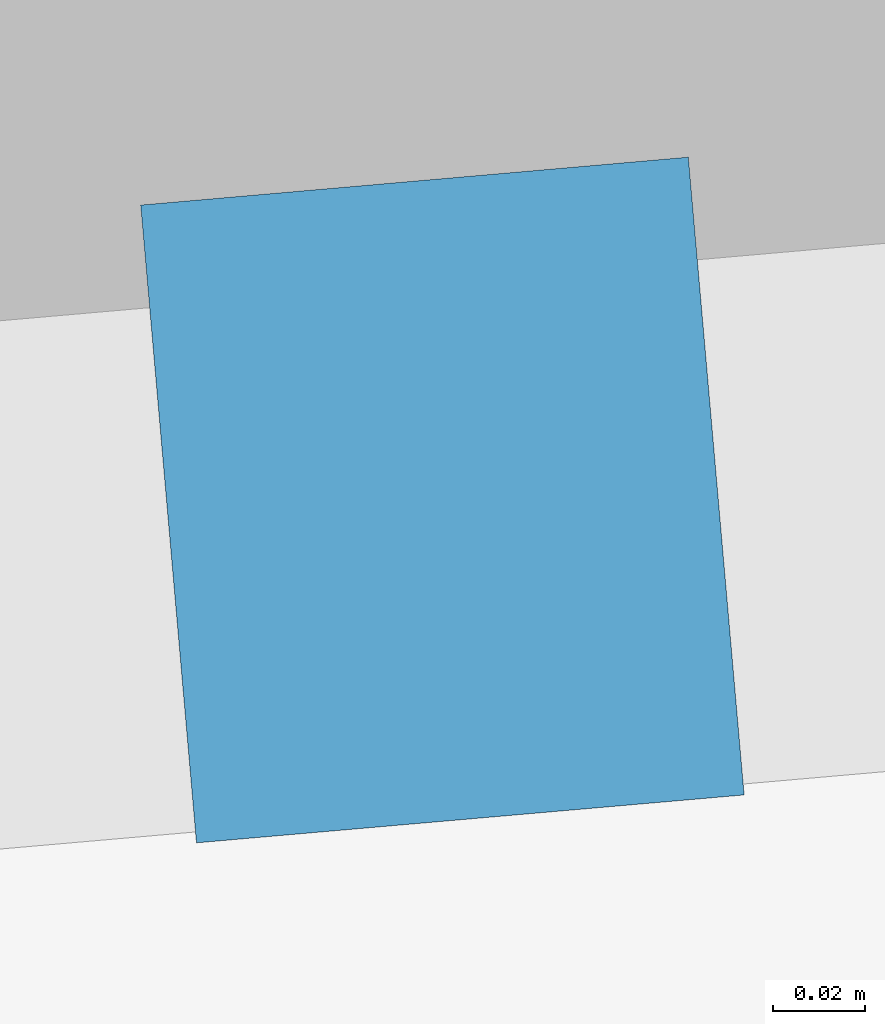
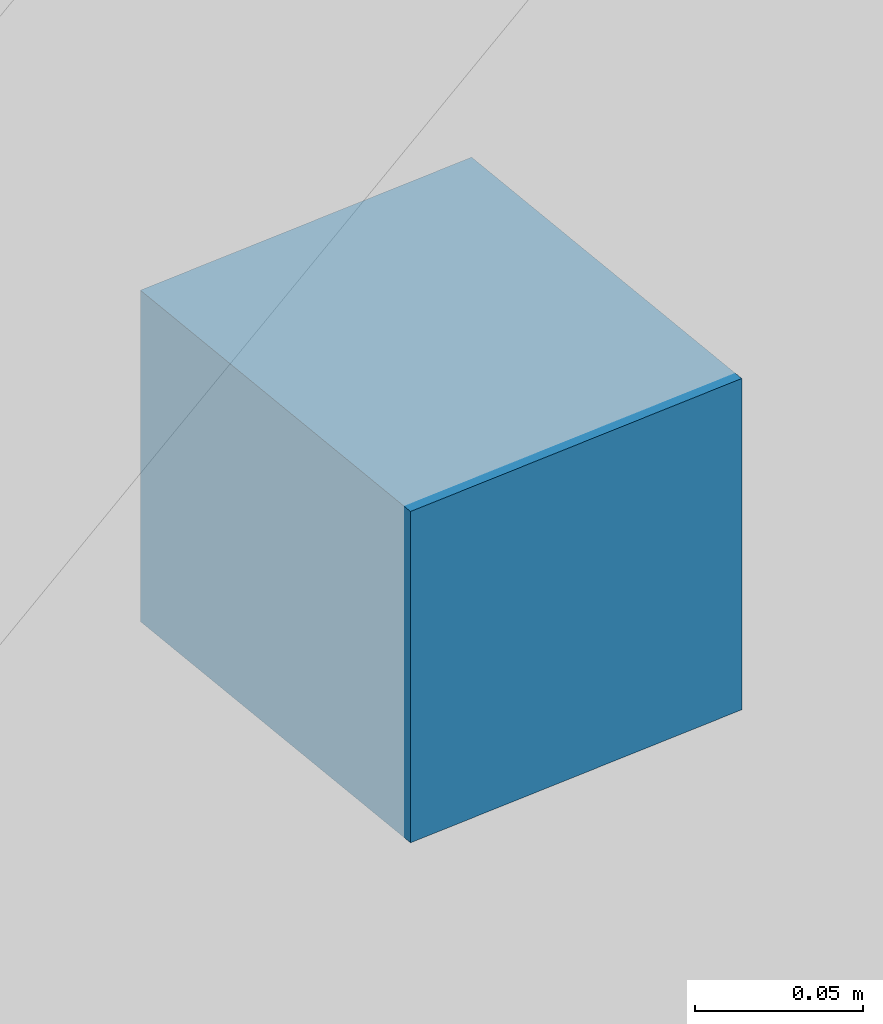
# One storey, part 28 of 37: 1 discrete accessory.
"""IFC4 building model written with IfcOpenShell, lengths in metres."""

import ifcopenshell
import ifcopenshell.guid

model = None  # the IFC model being written
_history = None  # IfcOwnerHistory: only IFC2X3 demands one
_inside = {}  # id of a spatial element -> (the spatial element, [elements in it])
_under = {}  # id of a project, library or spatial element -> (it, [spatial elements below it])
_declared = {}  # id of a project -> (the project, [libraries it declares])
_typed = {}  # id of a type object -> (the type object, [elements of that type])
_made_of = {}  # id of a material, layer set ... -> (it, [elements and type objects made of it])


def new_model(schema):
    """Start an empty IFC model of exactly this schema.

    Asked for "IFC4X3", IfcOpenShell would pick the latest addendum, in which some entities
    have other attributes; the version numbers below select the first issue.
    IFC2X3 requires an IfcOwnerHistory on every rooted entity: one is made here for all.
    """
    global model, _history
    if schema == "IFC4X3":
        model = ifcopenshell.file(schema_version=(4, 3, 0, 0))
    else:
        model = ifcopenshell.file(schema=schema)
    _inside.clear()
    _under.clear()
    _declared.clear()
    _typed.clear()
    _made_of.clear()
    _history = None
    if model.schema == "IFC2X3":
        org = make("IfcOrganization", Name="unknown")
        user = make(
            "IfcPersonAndOrganization",
            ThePerson=make("IfcPerson", FamilyName="unknown"),
            TheOrganization=org,
        )
        app = make(
            "IfcApplication",
            ApplicationDeveloper=org,
            Version="unknown",
            ApplicationFullName="unknown",
            ApplicationIdentifier="unknown",
        )
        _history = make(
            "IfcOwnerHistory",
            OwningUser=user,
            OwningApplication=app,
            ChangeAction="ADDED",
            CreationDate=0,
        )
    return model


def make(cls, **values):
    """One entity of the class cls with the attributes given. An attribute that is None is left unset."""
    return model.create_entity(
        cls, **{name: value for name, value in values.items() if value is not None}
    )


def rooted(cls, **values):
    """An entity with a GlobalId (a new one), such as an element, a storey or a relation."""
    return make(cls, GlobalId=ifcopenshell.guid.new(), OwnerHistory=_history, **values)


def si_unit(unit_type, name, prefix=None):
    """IfcSIUnit, for example si_unit("LENGTHUNIT", "METRE", prefix="MILLI")."""
    return make("IfcSIUnit", UnitType=unit_type, Prefix=prefix, Name=name)


def assignment(units):
    """IfcUnitAssignment: the units of a project."""
    return None if units is None else make("IfcUnitAssignment", Units=units)


def point(xyz):
    """IfcCartesianPoint."""
    return None if xyz is None else make("IfcCartesianPoint", Coordinates=xyz)


def direction(xyz):
    """IfcDirection."""
    return None if xyz is None else make("IfcDirection", DirectionRatios=xyz)


def frame(location, z_axis=None, x_axis=None):
    """IfcAxis2Placement3D, a coordinate frame: its origin and axes. An axis left out is left unset."""
    return make(
        "IfcAxis2Placement3D",
        Location=point(location),
        Axis=direction(z_axis),
        RefDirection=direction(x_axis),
    )


def frame_2d(location, x_axis=None):
    """IfcAxis2Placement2D, a coordinate frame in the plane: its origin and x axis."""
    return make(
        "IfcAxis2Placement2D", Location=point(location), RefDirection=direction(x_axis)
    )


def origin():
    """The frame at (0, 0, 0) with its axes left unset."""
    return frame((0.0, 0.0, 0.0))


def origin_2d():
    """The frame at (0, 0) in the plane with its x axis left unset."""
    return frame_2d((0.0, 0.0))


def place(relative_to, where):
    """IfcLocalPlacement: puts the frame where relative to a parent placement (None: the world)."""
    return make(
        "IfcLocalPlacement", PlacementRelTo=relative_to, RelativePlacement=where
    )


def context(
    kind, dimensions, precision=None, world=None, true_north=None, identifier=None
):
    """IfcGeometricRepresentationContext, for example the 3D "Model" context."""
    return make(
        "IfcGeometricRepresentationContext",
        ContextIdentifier=identifier,
        ContextType=kind,
        CoordinateSpaceDimension=dimensions,
        Precision=precision,
        WorldCoordinateSystem=world,
        TrueNorth=true_north,
    )


def subcontext(parent, identifier, kind, view, scale=None):
    """IfcGeometricRepresentationSubContext, for example "Body" below "Model"."""
    return make(
        "IfcGeometricRepresentationSubContext",
        ContextIdentifier=identifier,
        ContextType=kind,
        ParentContext=parent,
        TargetScale=scale,
        TargetView=view,
    )


def project(units=None, contexts=None):
    """IfcProject with its units and contexts."""
    return rooted(
        "IfcProject",
        Name="project",
        RepresentationContexts=contexts,
        UnitsInContext=assignment(units),
    )


def spatial(cls, under=None, at=None, **own):
    """A site, building, storey or space (cls), placed at a placement, below another one or the project."""
    s = rooted(cls, ObjectPlacement=at, **own)
    if under is not None:
        _under.setdefault(under.id(), (under, []))[1].append(s)
    return s


def profile(cls, at=None, kind="AREA", **sizes):
    """A parametric profile (cls). Its sizes go by their IFC names, for example OverallWidth=200.0."""
    return make(cls, ProfileType=kind, Position=at, **sizes)


def rectangle(**sizes):
    """IfcRectangleProfileDef."""
    return profile("IfcRectangleProfileDef", **sizes)


def extrude(swept, where, along, depth):
    """IfcExtrudedAreaSolid: the profile swept, set in the frame where, extruded along a direction by depth."""
    return make(
        "IfcExtrudedAreaSolid",
        SweptArea=swept,
        Position=where,
        ExtrudedDirection=direction(along),
        Depth=depth,
    )


def shape(context_of_items, identifier, shape_type, items):
    """IfcShapeRepresentation: the items that make up one representation, for example the "Body"."""
    return make(
        "IfcShapeRepresentation",
        ContextOfItems=context_of_items,
        RepresentationIdentifier=identifier,
        RepresentationType=shape_type,
        Items=items,
    )


def material(Name=None, Category=None):
    """IfcMaterial."""
    return make("IfcMaterial", Name=Name, Category=Category)


def made_of(thing, what):
    """Note that an element or type object is made of a material, layer set ...; save() writes the relation."""
    if what is not None:
        _made_of.setdefault(what.id(), (what, []))[1].append(thing)
    return thing


def type_object(cls, material=None, **own):
    """A type object (cls), such as IfcWallType, which elements share."""
    return made_of(rooted(cls, **own), material)


def element(
    cls,
    number,
    at=None,
    inside=None,
    cuts=None,
    type_object=None,
    material=None,
    context=None,
    identifier="Body",
    shape_type=None,
    held_by="IfcProductDefinitionShape",
    body=None,
    shapes=None,
    **own,
):
    """One element of the class cls, such as IfcWall. Its Tag is "e" and its number.

    at: its placement. inside: the storey or other place that contains it. cuts: it is an
    opening in that element (IfcRelVoidsElement). A single representation is given by context,
    identifier, shape_type and body (its items); several are given by shapes. held_by: the class
    of the entity that holds the representations. save() writes the other relations.
    """
    e = rooted(cls, Tag="e%d" % number, ObjectPlacement=at, **own)
    if body is not None:
        shapes = [shape(context, identifier, shape_type, body)]
    if shapes is not None:
        e.Representation = make(held_by, Representations=shapes)
    if inside is not None:
        _inside.setdefault(inside.id(), (inside, []))[1].append(e)
    if cuts is not None:
        rooted(
            "IfcRelVoidsElement", RelatingBuildingElement=cuts, RelatedOpeningElement=e
        )
    if type_object is not None:
        _typed.setdefault(type_object.id(), (type_object, []))[1].append(e)
    return made_of(e, material)


def aggregate(whole, parts):
    """IfcRelAggregates: a whole, such as a stair, and the parts it consists of."""
    return rooted("IfcRelAggregates", RelatingObject=whole, RelatedObjects=parts)


def save(model, path):
    """Write the relations noted so far, then the file.

    IfcRelAggregates (storeys below a building ...), IfcRelContainedInSpatialStructure (elements
    in a storey), IfcRelDefinesByType, IfcRelAssociatesMaterial and IfcRelDeclares: one each for
    every whole, place, type object, material and project.
    """
    for whole, parts in _under.values():
        aggregate(whole, parts)
    for where, things in _inside.values():
        rooted(
            "IfcRelContainedInSpatialStructure",
            RelatedElements=things,
            RelatingStructure=where,
        )
    for kind, things in _typed.values():
        rooted("IfcRelDefinesByType", RelatedObjects=things, RelatingType=kind)
    for what, things in _made_of.values():
        rooted("IfcRelAssociatesMaterial", RelatedObjects=things, RelatingMaterial=what)
    for by, libraries in _declared.values():
        rooted("IfcRelDeclares", RelatingContext=by, RelatedDefinitions=libraries)
    model.write(path)


model = new_model("IFC4")

# Units and contexts
model_context = context("Model", 3, precision=1e-05, world=origin(), true_north=direction((0.0, 1.0)))
body_context = subcontext(model_context, "Body", "Model", "MODEL_VIEW")
ifc_project = project(units=[si_unit("LENGTHUNIT", "METRE"), si_unit("AREAUNIT", "SQUARE_METRE"), si_unit("VOLUMEUNIT", "CUBIC_METRE"), si_unit("PLANEANGLEUNIT", "RADIAN"), si_unit("MASSUNIT", "GRAM", prefix="KILO")], contexts=[model_context])

# Site, building, storey
site_placement = place(None, origin())
site = spatial("IfcSite", under=ifc_project, at=site_placement, CompositionType="ELEMENT")
building_placement = place(site_placement, origin())
building = spatial("IfcBuilding", under=site, at=building_placement, Name="Aldenvaro Health Centre", CompositionType="ELEMENT")
storey_placement = place(building_placement, frame((0.0, 0.0, 12.949951171875)))
storey = spatial("IfcBuildingStorey", under=building, at=storey_placement, Name="L03", CompositionType="ELEMENT", Elevation=12.949951171875)

# Discrete accessory
ifc_material = material(Name="Stainless Steel AISI 316", Category="steel")
discrete_accessory_type = type_object("IfcDiscreteAccessoryType", Name="ACC-BRK-01", PredefinedType="BRACKET", material=ifc_material)
discrete_accessory_placement = place(storey_placement, frame((20.3359375, 5.594970703125, 0.18994140625), z_axis=(0.0, 0.0, 1.0), x_axis=(-0.996193717495, -0.087166950289, 0.0)))
element("IfcDiscreteAccessory", 1, at=discrete_accessory_placement, inside=storey, type_object=discrete_accessory_type, Name="D5 L03 stainless fin bracket 9", PredefinedType="BRACKET", context=body_context, shape_type="SweptSolid", body=[
    extrude(rectangle(XDim=0.1201171875, YDim=0.139892578125, at=origin_2d()), origin(), (0.0, 0.0, 1.0), 0.1201171875),
])

save(model, "model.ifc")
